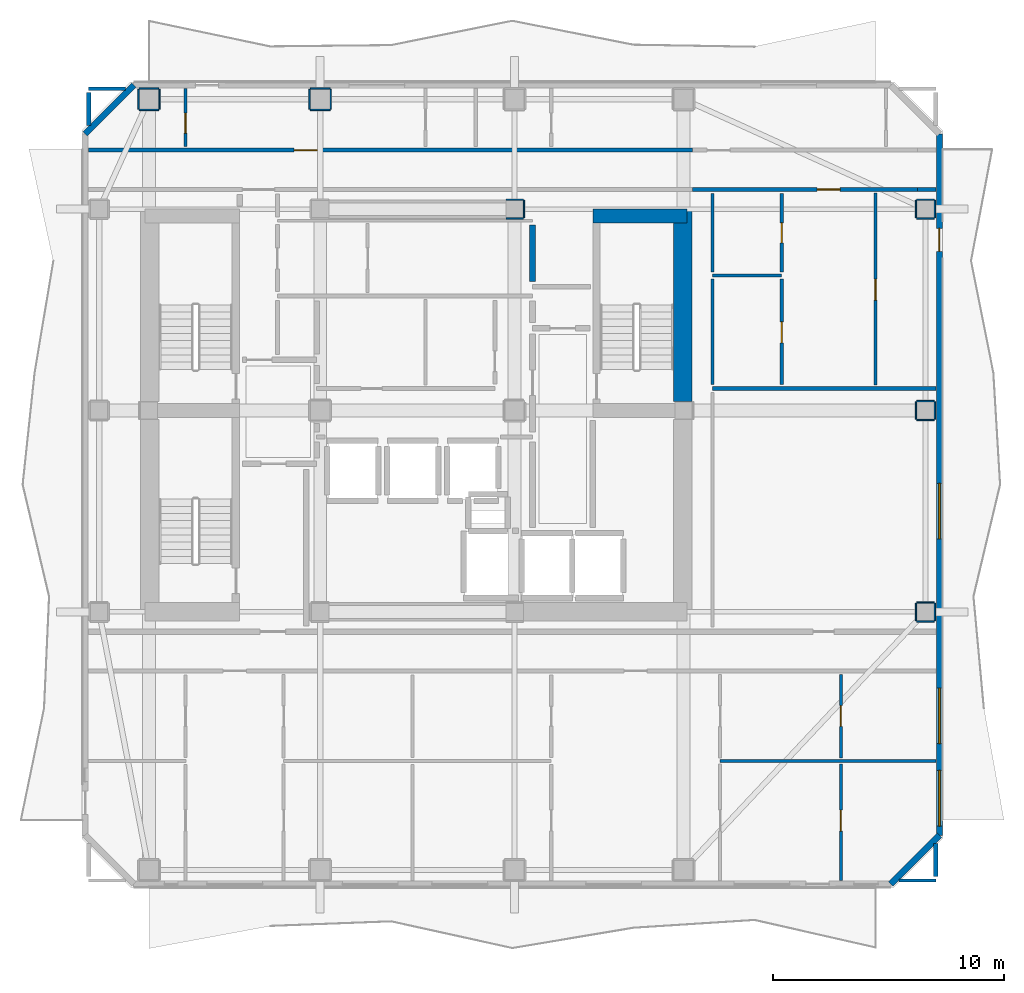
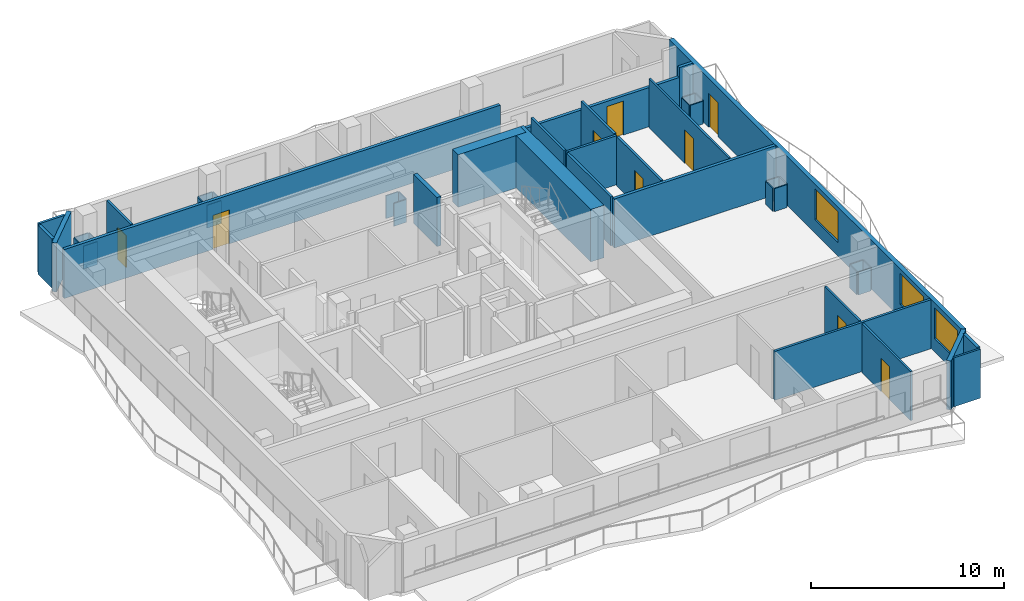
# One storey, part 5 of 9: 47 walls, 9 doors, 3 windows, 12 openings.
"""IFC4 building model written with IfcOpenShell, lengths in metres."""

from ifc_helpers import new_model, si_unit, direction, frame, frame_2d, origin, place, context, subcontext, project, spatial, rectangle, extrude, material, layer, layer_set, type_object, element, fill, save


model = new_model("IFC4")

# Units and contexts
model_context = context("Model", 3, precision=1e-05, world=origin(), true_north=direction((0.0, 1.0)))
body_context = subcontext(model_context, "Body", "Model", "MODEL_VIEW")
ifc_project = project(units=[si_unit("LENGTHUNIT", "METRE"), si_unit("AREAUNIT", "SQUARE_METRE"), si_unit("VOLUMEUNIT", "CUBIC_METRE"), si_unit("PLANEANGLEUNIT", "RADIAN"), si_unit("MASSUNIT", "GRAM", prefix="KILO")], contexts=[model_context])

# Site, building, storey
site_placement = place(None, origin())
site = spatial("IfcSite", under=ifc_project, at=site_placement, CompositionType="ELEMENT")
building_placement = place(site_placement, origin())
building = spatial("IfcBuilding", under=site, at=building_placement, Name="Solanera Arch Residences", CompositionType="ELEMENT")
storey_placement = place(building_placement, frame((0.0, 0.0, 216.719970703125)))
storey = spatial("IfcBuildingStorey", under=building, at=storey_placement, Name="L63", CompositionType="ELEMENT", Elevation=216.719970703125)

# Walls
ifc_material_1 = material(Name="Fire-Rated Gypsum Stud Partition", Category="gypsum")
ifc_layer_1 = layer(ifc_material_1, 0.06005859375)
ifc_layer_set_1 = layer_set([ifc_layer_1], Name="Fire-Rated Gypsum Stud Partition")
wall_type_1 = type_object("IfcWallType", Name="Column Acoustic Furring Wall 60", PredefinedType="PARTITIONING", material=ifc_layer_set_1)
for number, where, z_axis, x_axis, name in (
    (1, (28.8330078125, 38.992919921875, 0.0), (0.0, 0.0, 1.0), (1.0, 0.0, 0.0), "L63 Column Furring 4S"),
    (2, (28.8330078125, 39.806884765625, 0.0), (0.0, 0.0, 1.0), (1.0, 0.0, 0.0), "L63 Column Furring 4N"),
):
    element("IfcWall", number, at=place(storey_placement, frame(where, z_axis=z_axis, x_axis=x_axis)), inside=storey, type_object=wall_type_1, Name=name, PredefinedType="PARTITIONING", context=body_context, shape_type="SweptSolid", body=[
        extrude(rectangle(XDim=0.741943359375, YDim=0.06005859375, at=frame_2d((0.37109375, 0.0))), origin(), (0.0, 0.0, 1.0), 1.449951171875),
    ])
wall_1_placement = place(storey_placement, frame((29.60693359375, 39.02490234375, 0.0), z_axis=(0.0, 0.0, 1.0), x_axis=(0.0, 1.0, 0.0)))
element("IfcWall", 3, at=wall_1_placement, inside=storey, type_object=wall_type_1, Name="L63 Column Furring 4E", PredefinedType="PARTITIONING", context=body_context, shape_type="SweptSolid", body=[
    extrude(rectangle(XDim=0.75, YDim=0.06005859375, at=frame_2d((0.375, 0.0))), origin(), (0.0, 0.0, 1.0), 1.449951171875),
])
for number, where, z_axis, x_axis, name in (
    (4, (12.97509765625, 43.693115234375, 0.0), (0.0, 0.0, 1.0), (1.0, 0.0, 0.0), "L63 Column Furring 10S"),
    (5, (12.97509765625, 44.60693359375, 0.0), (0.0, 0.0, 1.0), (1.0, 0.0, 0.0), "L63 Column Furring 10N"),
    (6, (12.943115234375, 43.72509765625, 0.0), (0.0, 0.0, 1.0), (0.0, 1.0, 0.0), "L63 Column Furring 10W"),
    (7, (13.85693359375, 43.72509765625, 0.0), (0.0, 0.0, 1.0), (0.0, 1.0, 0.0), "L63 Column Furring 10E"),
):
    element("IfcWall", number, at=place(storey_placement, frame(where, z_axis=z_axis, x_axis=x_axis)), inside=storey, type_object=wall_type_1, Name=name, PredefinedType="PARTITIONING", context=body_context, shape_type="SweptSolid", body=[
        extrude(rectangle(XDim=0.849853515625, YDim=0.06005859375, at=frame_2d((0.4248046875, 0.0))), origin(), (0.0, 0.0, 1.0), 1.449951171875),
    ])
for number, where, z_axis, x_axis, name in (
    (8, (20.375, 43.693115234375, 0.0), (0.0, 0.0, 1.0), (1.0, 0.0, 0.0), "L63 Column Furring 12S"),
    (9, (20.375, 44.60693359375, 0.0), (0.0, 0.0, 1.0), (1.0, 0.0, 0.0), "L63 Column Furring 12N"),
):
    element("IfcWall", number, at=place(storey_placement, frame(where, z_axis=z_axis, x_axis=x_axis)), inside=storey, type_object=wall_type_1, Name=name, PredefinedType="PARTITIONING", context=body_context, shape_type="SweptSolid", body=[
        extrude(rectangle(XDim=0.85009765625, YDim=0.06005859375, at=frame_2d((0.425048828125, 0.0))), origin(), (0.0, 0.0, 1.0), 1.449951171875),
    ])
for number, where, z_axis, x_axis, name in (
    (10, (20.343017578125, 43.72509765625, 0.0), (0.0, 0.0, 1.0), (0.0, 1.0, 0.0), "L63 Column Furring 12W"),
    (11, (21.257080078125, 43.72509765625, 0.0), (0.0, 0.0, 1.0), (0.0, 1.0, 0.0), "L63 Column Furring 12E"),
):
    element("IfcWall", number, at=place(storey_placement, frame(where, z_axis=z_axis, x_axis=x_axis)), inside=storey, type_object=wall_type_1, Name=name, PredefinedType="PARTITIONING", context=body_context, shape_type="SweptSolid", body=[
        extrude(rectangle(XDim=0.849853515625, YDim=0.06005859375, at=frame_2d((0.4248046875, 0.0))), origin(), (0.0, 0.0, 1.0), 1.449951171875),
    ])
for number, where, z_axis, x_axis, name in (
    (12, (46.574951171875, 21.593017578125, 0.0), (0.0, 0.0, 1.0), (1.0, 0.0, 0.0), "L63 Column Furring 18S"),
    (13, (46.574951171875, 22.406982421875, 0.0), (0.0, 0.0, 1.0), (1.0, 0.0, 0.0), "L63 Column Furring 18N"),
    (14, (46.54296875, 21.625, 0.0), (0.0, 0.0, 1.0), (0.0, 1.0, 0.0), "L63 Column Furring 18W"),
    (15, (47.35693359375, 21.625, 0.0), (0.0, 0.0, 1.0), (0.0, 1.0, 0.0), "L63 Column Furring 18E"),
    (16, (46.574951171875, 30.29296875, 0.0), (0.0, 0.0, 1.0), (1.0, 0.0, 0.0), "L63 Column Furring 20S"),
    (17, (46.574951171875, 31.10693359375, 0.0), (0.0, 0.0, 1.0), (1.0, 0.0, 0.0), "L63 Column Furring 20N"),
    (18, (46.54296875, 30.324951171875, 0.0), (0.0, 0.0, 1.0), (0.0, 1.0, 0.0), "L63 Column Furring 20W"),
    (19, (47.35693359375, 30.324951171875, 0.0), (0.0, 0.0, 1.0), (0.0, 1.0, 0.0), "L63 Column Furring 20E"),
    (20, (46.574951171875, 38.992919921875, 0.0), (0.0, 0.0, 1.0), (1.0, 0.0, 0.0), "L63 Column Furring 22S"),
    (21, (46.574951171875, 39.806884765625, 0.0), (0.0, 0.0, 1.0), (1.0, 0.0, 0.0), "L63 Column Furring 22N"),
    (22, (46.54296875, 39.02490234375, 0.0), (0.0, 0.0, 1.0), (0.0, 1.0, 0.0), "L63 Column Furring 22W"),
    (23, (47.35693359375, 39.02490234375, 0.0), (0.0, 0.0, 1.0), (0.0, 1.0, 0.0), "L63 Column Furring 22E"),
):
    element("IfcWall", number, at=place(storey_placement, frame(where, z_axis=z_axis, x_axis=x_axis)), inside=storey, type_object=wall_type_1, Name=name, PredefinedType="PARTITIONING", context=body_context, shape_type="SweptSolid", body=[
        extrude(rectangle(XDim=0.75, YDim=0.06005859375, at=frame_2d((0.375, 0.0))), origin(), (0.0, 0.0, 1.0), 1.449951171875),
    ])
ifc_material_2 = material(Name="Concrete C40/50 (f'c = 45 MPa)", Category="concrete")
ifc_layer_2 = layer(ifc_material_2, 0.60009765625)
ifc_layer_set_2 = layer_set([ifc_layer_2], Name="Concrete C40/50 (f'c = 45 MPa)")
wall_type_2 = type_object("IfcWallType", Name="Core Shear Wall CW-600", PredefinedType="SHEAR", material=ifc_layer_set_2)
wall_2_placement = place(storey_placement, frame((32.580078125, 39.10009765625, 0.0), z_axis=(0.0, 0.0, 1.0), x_axis=(1.0, 0.0, 0.0)))
element("IfcWall", 24, at=wall_2_placement, inside=storey, type_object=wall_type_2, Name="L63 North-East Core Shear Wall", PredefinedType="SHEAR", context=body_context, shape_type="SweptSolid", body=[
    extrude(rectangle(XDim=4.079833984375, YDim=0.60009765625, at=frame_2d((2.0400390625, 0.0))), origin(), (0.0, 0.0, 1.0), 3.320068359375),
])
ifc_material_3 = material(Name="Concrete C40/50 (f'c = 45 MPa)", Category="concrete")
ifc_layer_3 = layer(ifc_material_3, 0.800048828125)
ifc_layer_set_3 = layer_set([ifc_layer_3], Name="Concrete C40/50 (f'c = 45 MPa)")
wall_type_3 = type_object("IfcWallType", Name="Core Shear Wall CW-800", PredefinedType="SHEAR", material=ifc_layer_set_3)
wall_3_placement = place(storey_placement, frame((36.4599609375, 31.080078125, 0.0), z_axis=(0.0, 0.0, 1.0), x_axis=(0.0, 1.0, 0.0)))
element("IfcWall", 25, at=wall_3_placement, inside=storey, type_object=wall_type_3, Name="L63 East Core North Shear Wall", PredefinedType="SHEAR", context=body_context, shape_type="SweptSolid", body=[
    extrude(rectangle(XDim=8.31982421875, YDim=0.800048828125, at=frame_2d((4.159912109375, 0.0))), origin(), (0.0, 0.0, 1.0), 3.320068359375),
])
ifc_material_4 = material(Name="Autoclaved Aerated Concrete Blockwork", Category="masonry")
ifc_layer_4 = layer(ifc_material_4, 0.179931640625)
ifc_layer_set_4 = layer_set([ifc_layer_4], Name="Autoclaved Aerated Concrete Blockwork")
wall_type_4 = type_object("IfcWallType", Name="Corridor Fire Partition 180", PredefinedType="PARTITIONING", material=ifc_layer_set_4)
wall_4_placement = place(storey_placement, frame((37.75, 31.64990234375, 0.0), z_axis=(0.0, 0.0, 1.0), x_axis=(1.0, 0.0, 0.0)))
element("IfcWall", 26, at=wall_4_placement, inside=storey, type_object=wall_type_4, Name="L63 Interior Partition H9", PredefinedType="PARTITIONING", context=body_context, shape_type="SweptSolid", body=[
    extrude(rectangle(XDim=9.6630859375, YDim=0.179931640625, at=frame_2d((4.83154296875, 0.0))), origin(), (0.0, 0.0, 1.0), 3.10009765625),
])

# Wall, opening, door
wall_5_placement = place(storey_placement, frame((36.888916015625, 40.25, 0.0), z_axis=(0.0, 0.0, 1.0), x_axis=(1.0, 0.0, 0.0)))
wall_5 = element("IfcWall", 27, at=wall_5_placement, inside=storey, type_object=wall_type_4, Name="L63 Interior Partition H12 2", PredefinedType="PARTITIONING", context=body_context, shape_type="SweptSolid", body=[
    extrude(rectangle(XDim=9.72216796875, YDim=0.179931640625, at=frame_2d((4.861083984375, 0.0))), origin(), (0.0, 0.0, 1.0), 2.47705078125),
])
opening_1_placement = place(wall_5_placement, frame((5.3798828125, 0.0, 0.0)))
opening_1 = element("IfcOpeningElement", 28, at=opening_1_placement, cuts=wall_5, Name="Opening DI-01", PredefinedType="OPENING", context=body_context, shape_type="SweptSolid", body=[
    extrude(rectangle(XDim=1.0, YDim=2.14990234375, at=frame_2d((0.5, 1.074951171875))), frame((0.0, 0.10009765625, 0.0), z_axis=(0.0, -1.0, 0.0), x_axis=(1.0, 0.0, 0.0)), (0.0, 0.0, 1.0), 0.1999),
])
ifc_material_5 = material(Name="Fire-Rated Architectural Hardwood", Category="wood")
door_type_1 = type_object("IfcDoorType", Name="Unit Entrance Fire Door DI-01", OperationType="NOTDEFINED", PredefinedType="DOOR", material=ifc_material_5)
door_1_placement = place(opening_1_placement, origin())
door_1 = element("IfcDoor", 29, at=door_1_placement, inside=storey, type_object=door_type_1, Name="DR-L63-IN-033", OperationType="SINGLE_SWING_RIGHT", OverallHeight=2.14990234375, OverallWidth=1.0, PredefinedType="DOOR", context=body_context, shape_type="SweptSolid", body=[
    extrude(rectangle(XDim=1.0, YDim=2.14990234375, at=frame_2d((0.5, 1.074951171875))), frame((0.0, 0.02490234375, 0.0), z_axis=(0.0, -1.0, 0.0), x_axis=(1.0, 0.0, 0.0)), (0.0, 0.0, 1.0), 0.050048828125),
])
fill(opening_1, door_1)

# Wall
wall_6_placement = place(storey_placement, frame((46.611083984375, 40.25, 0.0), z_axis=(0.0, 0.0, 1.0), x_axis=(1.0, 0.0, 0.0)))
element("IfcWall", 30, at=wall_6_placement, inside=storey, type_object=wall_type_4, Name="L63 Interior Partition H12 3", PredefinedType="PARTITIONING", context=body_context, shape_type="SweptSolid", body=[
    extrude(rectangle(XDim=0.802001953125, YDim=0.179931640625, at=frame_2d((0.40087890625, 0.0))), origin(), (0.0, 0.0, 1.0), 3.10009765625),
])

# Wall, opening, door
wall_7_placement = place(storey_placement, frame((10.787109375, 41.949951171875, 0.0), z_axis=(0.0, 0.0, 1.0), x_axis=(1.0, 0.0, 0.0)))
wall_7 = element("IfcWall", 31, at=wall_7_placement, inside=storey, type_object=wall_type_4, Name="L63 Interior Partition H13 1", PredefinedType="PARTITIONING", context=body_context, shape_type="SweptSolid", body=[
    extrude(rectangle(XDim=26.101806640625, YDim=0.179931640625, at=frame_2d((13.05078125, 0.0))), origin(), (0.0, 0.0, 1.0), 3.10009765625),
])
opening_2_placement = place(wall_7_placement, frame((8.887939453125, 0.0, 0.0)))
opening_2 = element("IfcOpeningElement", 32, at=opening_2_placement, cuts=wall_7, Name="Opening DI-01", PredefinedType="OPENING", context=body_context, shape_type="SweptSolid", body=[
    extrude(rectangle(XDim=1.0, YDim=2.14990234375, at=frame_2d((0.5, 1.074951171875))), frame((0.0, 0.10009765625, 0.0), z_axis=(0.0, -1.0, 0.0), x_axis=(1.0, 0.0, 0.0)), (0.0, 0.0, 1.0), 0.1999),
])
door_2_placement = place(opening_2_placement, origin())
door_2 = element("IfcDoor", 33, at=door_2_placement, inside=storey, type_object=door_type_1, Name="DR-L63-IN-026", OperationType="SINGLE_SWING_LEFT", OverallHeight=2.14990234375, OverallWidth=1.0, PredefinedType="DOOR", context=body_context, shape_type="SweptSolid", body=[
    extrude(rectangle(XDim=1.0, YDim=2.14990234375, at=frame_2d((0.5, 1.074951171875))), frame((0.0, 0.02490234375, 0.0), z_axis=(0.0, -1.0, 0.0), x_axis=(1.0, 0.0, 0.0)), (0.0, 0.0, 1.0), 0.050048828125),
])
fill(opening_2, door_2)

# Walls
wall_8_placement = place(storey_placement, frame((10.800048828125, 43.010986328125, 0.0), z_axis=(0.0, 0.0, 1.0), x_axis=(0.0, 1.0, 0.0)))
element("IfcWall", 34, at=wall_8_placement, inside=storey, type_object=wall_type_4, Name="L63 Interior Partition V7", PredefinedType="PARTITIONING", context=body_context, shape_type="SweptSolid", body=[
    extrude(rectangle(XDim=1.4208984375, YDim=0.179931640625, at=frame_2d((0.71044921875, 0.0))), origin(), (0.0, 0.0, 1.0), 3.10009765625),
])
wall_9_placement = place(storey_placement, frame((47.39990234375, 10.55810546875, 0.0), z_axis=(0.0, 0.0, 1.0), x_axis=(0.0, 1.0, 0.0)))
element("IfcWall", 35, at=wall_9_placement, inside=storey, type_object=wall_type_4, Name="L63 Interior Partition V10 1", PredefinedType="PARTITIONING", context=body_context, shape_type="SweptSolid", body=[
    extrude(rectangle(XDim=1.430908203125, YDim=0.179931640625, at=frame_2d((0.71533203125, 0.0))), origin(), (0.0, 0.0, 1.0), 3.10009765625),
])
ifc_material_6 = material(Name="Precast Concrete C35/45", Category="concrete")
ifc_layer_5 = layer(ifc_material_6, 0.260009765625)
ifc_layer_set_5 = layer_set([ifc_layer_5], Name="Precast Concrete C35/45")
wall_type_5 = type_object("IfcWallType", Name="Exterior Wall Precast Masonry-Frame 260", PredefinedType="STANDARD", material=ifc_layer_set_5)
wall_10_placement = place(storey_placement, frame((10.64501953125, 42.655029296875, 0.0), z_axis=(0.0, 0.0, 1.0), x_axis=(0.707147883682, 0.707065676302, 0.0)))
element("IfcWall", 36, at=wall_10_placement, inside=storey, type_object=wall_type_5, Name="L63 Tower Exterior Precast Masonry-Frame Wall CH1", PredefinedType="STANDARD", context=body_context, shape_type="SweptSolid", body=[
    extrude(rectangle(XDim=2.9697265625, YDim=0.260009765625, at=frame_2d((1.48486328125, 0.0))), origin(), (0.0, 0.0, 1.0), 3.10009765625),
])

# Wall, openings, door, windows
wall_11_placement = place(storey_placement, frame((47.554931640625, 42.655029296875, 0.0), z_axis=(0.0, 0.0, 1.0), x_axis=(0.0, -1.0, 0.0)))
wall_11 = element("IfcWall", 37, at=wall_11_placement, inside=storey, type_object=wall_type_5, Name="L63 Tower Exterior Precast Masonry-Frame Wall E", PredefinedType="STANDARD", context=body_context, shape_type="SweptSolid", body=[
    extrude(rectangle(XDim=30.31005859375, YDim=0.260009765625, at=frame_2d((15.155029296875, 0.0))), origin(), (0.0, 0.0, 1.0), 3.10009765625),
])
opening_3_placement = place(wall_11_placement, frame((4.08203125, 0.0, 0.0)))
opening_3 = element("IfcOpeningElement", 38, at=opening_3_placement, cuts=wall_11, Name="Opening DB-01", PredefinedType="OPENING", context=body_context, shape_type="SweptSolid", body=[
    extrude(rectangle(XDim=1.0, YDim=2.14990234375, at=frame_2d((0.5, 1.074951171875))), frame((0.0, 0.139892578125, 0.0), z_axis=(0.0, -1.0, 0.0), x_axis=(1.0, 0.0, 0.0)), (0.0, 0.0, 1.0), 0.28),
])
opening_4_placement = place(wall_11_placement, frame((23.950927734375, 0.0, 0.85009765625)))
opening_4 = element("IfcOpeningElement", 39, at=opening_4_placement, cuts=wall_11, Name="Opening W-05", PredefinedType="OPENING", context=body_context, shape_type="SweptSolid", body=[
    extrude(rectangle(XDim=2.39990234375, YDim=1.949951171875, at=frame_2d((1.199951171875, 0.97509765625))), frame((0.0, 0.139892578125, 0.0), z_axis=(0.0, -1.0, 0.0), x_axis=(1.0, 0.0, 0.0)), (0.0, 0.0, 1.0), 0.28),
])
opening_5_placement = place(wall_11_placement, frame((27.508056640625, 0.0, 0.85009765625)))
opening_5 = element("IfcOpeningElement", 40, at=opening_5_placement, cuts=wall_11, Name="Opening W-05", PredefinedType="OPENING", context=body_context, shape_type="SweptSolid", body=[
    extrude(rectangle(XDim=2.39990234375, YDim=1.949951171875, at=frame_2d((1.199951171875, 0.97509765625))), frame((0.0, 0.139892578125, 0.0), z_axis=(0.0, -1.0, 0.0), x_axis=(1.0, 0.0, 0.0)), (0.0, 0.0, 1.0), 0.28),
])
opening_6_placement = place(wall_11_placement, frame((15.10498046875, 0.0, 0.85009765625)))
opening_6 = element("IfcOpeningElement", 41, at=opening_6_placement, cuts=wall_11, Name="Opening W-05", PredefinedType="OPENING", context=body_context, shape_type="SweptSolid", body=[
    extrude(rectangle(XDim=2.39990234375, YDim=1.949951171875, at=frame_2d((1.199951171875, 0.97509765625))), frame((0.0, 0.139892578125, 0.0), z_axis=(0.0, -1.0, 0.0), x_axis=(1.0, 0.0, 0.0)), (0.0, 0.0, 1.0), 0.28),
])
ifc_material_7 = material(Name="Anodised Aluminium Alloy 6063-T6", Category="aluminium")
door_type_2 = type_object("IfcDoorType", Name="Glazed Balcony Swing Door DB-01", OperationType="NOTDEFINED", PredefinedType="DOOR", material=ifc_material_7)
door_3_placement = place(opening_3_placement, origin())
door_3 = element("IfcDoor", 42, at=door_3_placement, inside=storey, type_object=door_type_2, Name="DR-L63-OUT-03", OperationType="SINGLE_SWING_LEFT", OverallHeight=2.14990234375, OverallWidth=1.0, PredefinedType="DOOR", context=body_context, shape_type="SweptSolid", body=[
    extrude(rectangle(XDim=1.0, YDim=2.14990234375, at=frame_2d((0.5, 1.074951171875))), frame((0.0, 0.02490234375, 0.0), z_axis=(0.0, -1.0, 0.0), x_axis=(1.0, 0.0, 0.0)), (0.0, 0.0, 1.0), 0.050048828125),
])
fill(opening_3, door_3)
ifc_material_8 = material(Name="Double Glazed Low-E Laminated Glass", Category="glass")
window_type = type_object("IfcWindowType", Name="Punched Window W-05", PartitioningType="TRIPLE_PANEL_VERTICAL", PredefinedType="WINDOW", material=ifc_material_8)
window_1_placement = place(opening_4_placement, origin())
window_1 = element("IfcWindow", 43, at=window_1_placement, inside=storey, type_object=window_type, Name="L63 6302-STD Punched Window", OverallHeight=1.949951171875, OverallWidth=2.39990234375, PartitioningType="SINGLE_PANEL", PredefinedType="WINDOW", context=body_context, shape_type="SweptSolid", body=[
    extrude(rectangle(XDim=2.39990234375, YDim=1.949951171875, at=frame_2d((1.199951171875, 0.97509765625))), frame((0.0, 0.030029296875, 0.0), z_axis=(0.0, -1.0, 0.0), x_axis=(1.0, 0.0, 0.0)), (0.0, 0.0, 1.0), 0.06005859375),
])
fill(opening_4, window_1)
window_2_placement = place(opening_5_placement, origin())
window_2 = element("IfcWindow", 44, at=window_2_placement, inside=storey, type_object=window_type, Name="L63 6302-BR3 Punched Window", OverallHeight=1.949951171875, OverallWidth=2.39990234375, PartitioningType="SINGLE_PANEL", PredefinedType="WINDOW", context=body_context, shape_type="SweptSolid", body=[
    extrude(rectangle(XDim=2.39990234375, YDim=1.949951171875, at=frame_2d((1.199951171875, 0.97509765625))), frame((0.0, 0.030029296875, 0.0), z_axis=(0.0, -1.0, 0.0), x_axis=(1.0, 0.0, 0.0)), (0.0, 0.0, 1.0), 0.06005859375),
])
fill(opening_5, window_2)
window_3_placement = place(opening_6_placement, origin())
window_3 = element("IfcWindow", 45, at=window_3_placement, inside=storey, type_object=window_type, Name="L63 AMN-STDE Punched Window", OverallHeight=1.949951171875, OverallWidth=2.39990234375, PartitioningType="SINGLE_PANEL", PredefinedType="WINDOW", context=body_context, shape_type="SweptSolid", body=[
    extrude(rectangle(XDim=2.39990234375, YDim=1.949951171875, at=frame_2d((1.199951171875, 0.97509765625))), frame((0.0, 0.030029296875, 0.0), z_axis=(0.0, -1.0, 0.0), x_axis=(1.0, 0.0, 0.0)), (0.0, 0.0, 1.0), 0.06005859375),
])
fill(opening_6, window_3)

# Walls
wall_12_placement = place(storey_placement, frame((47.554931640625, 12.344970703125, 0.0), z_axis=(0.0, 0.0, 1.0), x_axis=(-0.707106781187, -0.707106781187, 0.0)))
element("IfcWall", 46, at=wall_12_placement, inside=storey, type_object=wall_type_5, Name="L63 Tower Exterior Precast Masonry-Frame Wall CH5", PredefinedType="STANDARD", context=body_context, shape_type="SweptSolid", body=[
    extrude(rectangle(XDim=2.9697265625, YDim=0.260009765625, at=frame_2d((1.48486328125, 0.0))), origin(), (0.0, 0.0, 1.0), 3.10009765625),
])
ifc_material_9 = material(Name="Autoclaved Aerated Concrete Blockwork", Category="masonry")
ifc_layer_6 = layer(ifc_material_9, 0.239990234375)
ifc_layer_set_6 = layer_set([ifc_layer_6], Name="Autoclaved Aerated Concrete Blockwork")
wall_type_6 = type_object("IfcWallType", Name="Shaft Wall Fire-Rated 240", PredefinedType="PARTITIONING", material=ifc_layer_set_6)
wall_13_placement = place(storey_placement, frame((29.97509765625, 36.26806640625, 0.0), z_axis=(0.0, 0.0, 1.0), x_axis=(0.0, 1.0, 0.0)))
element("IfcWall", 47, at=wall_13_placement, inside=storey, type_object=wall_type_6, Name="L63 Interior Partition V4 4", PredefinedType="PARTITIONING", context=body_context, shape_type="SweptSolid", body=[
    extrude(rectangle(XDim=2.44384765625, YDim=0.239990234375, at=frame_2d((1.221923828125, 0.0))), origin(), (0.0, 0.0, 1.0), 3.10009765625),
])
ifc_material_10 = material(Name="Fire-Rated Gypsum Stud Partition", Category="gypsum")
ifc_layer_7 = layer(ifc_material_10, 0.1201171875)
ifc_layer_set_7 = layer_set([ifc_layer_7], Name="Fire-Rated Gypsum Stud Partition")
wall_type_7 = type_object("IfcWallType", Name="Unit Drywall Partition 120", PredefinedType="PARTITIONING", material=ifc_layer_set_7)
wall_14_placement = place(storey_placement, frame((45.81103515625, 10.39990234375, 0.0), z_axis=(0.0, 0.0, 1.0), x_axis=(1.0, 0.0, 0.0)))
element("IfcWall", 48, at=wall_14_placement, inside=storey, type_object=wall_type_7, Name="L63 Interior Partition H19 2", PredefinedType="PARTITIONING", context=body_context, shape_type="SweptSolid", body=[
    extrude(rectangle(XDim=1.5888671875, YDim=0.1201171875, at=frame_2d((0.79443359375, 0.0))), origin(), (0.0, 0.0, 1.0), 3.10009765625),
])

# Wall, opening, door
wall_15_placement = place(storey_placement, frame((43.299072265625, 10.386962890625, 0.0), z_axis=(0.0, 0.0, 1.0), x_axis=(0.0, 1.0, 0.0)))
wall_15 = element("IfcWall", 49, at=wall_15_placement, inside=storey, type_object=wall_type_7, Name="L63 Interior Partition V24 1", PredefinedType="PARTITIONING", context=body_context, shape_type="SweptSolid", body=[
    extrude(rectangle(XDim=5.033935546875, YDim=0.1201171875, at=frame_2d((2.51708984375, 0.0))), origin(), (0.0, 0.0, 1.0), 3.10009765625),
])
opening_7_placement = place(wall_15_placement, frame((2.14306640625, 0.0, 0.0)))
opening_7 = element("IfcOpeningElement", 50, at=opening_7_placement, cuts=wall_15, Name="Opening DI-03", PredefinedType="OPENING", context=body_context, shape_type="SweptSolid", body=[
    extrude(rectangle(XDim=0.89990234375, YDim=2.10009765625, at=frame_2d((0.449951171875, 1.050048828125))), frame((0.0, 0.070068359375, 0.0), z_axis=(0.0, -1.0, 0.0), x_axis=(1.0, 0.0, 0.0)), (0.0, 0.0, 1.0), 0.1401),
])
ifc_material_11 = material(Name="Fire-Rated Architectural Hardwood", Category="wood")
door_type_3 = type_object("IfcDoorType", Name="Bedroom Swing Door DI-03", OperationType="NOTDEFINED", PredefinedType="DOOR", material=ifc_material_11)
door_4_placement = place(opening_7_placement, origin())
door_4 = element("IfcDoor", 51, at=door_4_placement, inside=storey, type_object=door_type_3, Name="DR-L63-IN-025", OperationType="SINGLE_SWING_RIGHT", OverallHeight=2.10009765625, OverallWidth=0.89990234375, PredefinedType="DOOR", context=body_context, shape_type="SweptSolid", body=[
    extrude(rectangle(XDim=0.89990234375, YDim=2.10009765625, at=frame_2d((0.449951171875, 1.050048828125))), frame((0.0, 0.02490234375, 0.0), z_axis=(0.0, -1.0, 0.0), x_axis=(1.0, 0.0, 0.0)), (0.0, 0.0, 1.0), 0.050048828125),
])
fill(opening_7, door_4)

wall_16_placement = place(storey_placement, frame((43.299072265625, 15.697021484375, 0.0), z_axis=(0.0, 0.0, 1.0), x_axis=(0.0, 1.0, 0.0)))
wall_16 = element("IfcWall", 52, at=wall_16_placement, inside=storey, type_object=wall_type_7, Name="L63 Interior Partition V24 2", PredefinedType="PARTITIONING", context=body_context, shape_type="SweptSolid", body=[
    extrude(rectangle(XDim=3.594970703125, YDim=0.1201171875, at=frame_2d((1.79736328125, 0.0))), origin(), (0.0, 0.0, 1.0), 3.10009765625),
])
opening_8_placement = place(wall_16_placement, frame((1.35791015625, 0.0, 0.0)))
opening_8 = element("IfcOpeningElement", 53, at=opening_8_placement, cuts=wall_16, Name="Opening DI-02", PredefinedType="OPENING", context=body_context, shape_type="SweptSolid", body=[
    extrude(rectangle(XDim=0.89990234375, YDim=2.10009765625, at=frame_2d((0.449951171875, 1.050048828125))), frame((0.0, 0.070068359375, 0.0), z_axis=(0.0, -1.0, 0.0), x_axis=(1.0, 0.0, 0.0)), (0.0, 0.0, 1.0), 0.1401),
])
ifc_material_12 = material(Name="Fire-Rated Architectural Hardwood", Category="wood")
door_type_4 = type_object("IfcDoorType", Name="Suite Room Swing Door DI-02", OperationType="NOTDEFINED", PredefinedType="DOOR", material=ifc_material_12)
door_5_placement = place(opening_8_placement, origin())
door_5 = element("IfcDoor", 54, at=door_5_placement, inside=storey, type_object=door_type_4, Name="DR-L63-IN-023", OperationType="SINGLE_SWING_RIGHT", OverallHeight=2.10009765625, OverallWidth=0.89990234375, PredefinedType="DOOR", context=body_context, shape_type="SweptSolid", body=[
    extrude(rectangle(XDim=0.89990234375, YDim=2.10009765625, at=frame_2d((0.449951171875, 1.050048828125))), frame((0.0, 0.02490234375, 0.0), z_axis=(0.0, -1.0, 0.0), x_axis=(1.0, 0.0, 0.0)), (0.0, 0.0, 1.0), 0.050048828125),
])
fill(opening_8, door_5)

wall_17_placement = place(storey_placement, frame((44.794921875, 31.80810546875, 0.0), z_axis=(0.0, 0.0, 1.0), x_axis=(0.0, 1.0, 0.0)))
wall_17 = element("IfcWall", 55, at=wall_17_placement, inside=storey, type_object=wall_type_7, Name="L63 Interior Partition V25", PredefinedType="PARTITIONING", context=body_context, shape_type="SweptSolid", body=[
    extrude(rectangle(XDim=8.283935546875, YDim=0.1201171875, at=frame_2d((4.14208984375, 0.0))), origin(), (0.0, 0.0, 1.0), 3.10009765625),
])
opening_9_placement = place(wall_17_placement, frame((3.6669921875, 0.0, 0.0)))
opening_9 = element("IfcOpeningElement", 56, at=opening_9_placement, cuts=wall_17, Name="Opening DI-02", PredefinedType="OPENING", context=body_context, shape_type="SweptSolid", body=[
    extrude(rectangle(XDim=0.89990234375, YDim=2.10009765625, at=frame_2d((0.449951171875, 1.050048828125))), frame((0.0, 0.070068359375, 0.0), z_axis=(0.0, -1.0, 0.0), x_axis=(1.0, 0.0, 0.0)), (0.0, 0.0, 1.0), 0.1401),
])
door_6_placement = place(opening_9_placement, origin())
door_6 = element("IfcDoor", 57, at=door_6_placement, inside=storey, type_object=door_type_4, Name="DR-L63-IN-036", OperationType="SINGLE_SWING_LEFT", OverallHeight=2.10009765625, OverallWidth=0.89990234375, PredefinedType="DOOR", context=body_context, shape_type="SweptSolid", body=[
    extrude(rectangle(XDim=0.89990234375, YDim=2.10009765625, at=frame_2d((0.449951171875, 1.050048828125))), frame((0.0, 0.02490234375, 0.0), z_axis=(0.0, -1.0, 0.0), x_axis=(1.0, 0.0, 0.0)), (0.0, 0.0, 1.0), 0.050048828125),
])
fill(opening_9, door_6)

# Walls
ifc_material_13 = material(Name="Autoclaved Aerated Concrete Blockwork", Category="masonry")
ifc_layer_8 = layer(ifc_material_13, 0.139892578125)
ifc_layer_set_8 = layer_set([ifc_layer_8], Name="Autoclaved Aerated Concrete Blockwork")
wall_type_8 = type_object("IfcWallType", Name="Wet-Room Partition 140", PredefinedType="PARTITIONING", material=ifc_layer_set_8)
wall_18_placement = place(storey_placement, frame((38.080078125, 15.55908203125, 0.0), z_axis=(0.0, 0.0, 1.0), x_axis=(1.0, 0.0, 0.0)))
element("IfcWall", 58, at=wall_18_placement, inside=storey, type_object=wall_type_8, Name="L63 Interior Partition H16", PredefinedType="PARTITIONING", context=body_context, shape_type="SweptSolid", body=[
    extrude(rectangle(XDim=9.3330078125, YDim=0.139892578125, at=frame_2d((4.66650390625, 0.0))), origin(), (0.0, 0.0, 1.0), 3.10009765625),
])
wall_19_placement = place(storey_placement, frame((37.75, 36.531005859375, 0.0), z_axis=(0.0, 0.0, 1.0), x_axis=(1.0, 0.0, 0.0)))
element("IfcWall", 59, at=wall_19_placement, inside=storey, type_object=wall_type_8, Name="L63 Interior Partition H17", PredefinedType="PARTITIONING", context=body_context, shape_type="SweptSolid", body=[
    extrude(rectangle(XDim=2.991943359375, YDim=0.139892578125, at=frame_2d((1.49609375, 0.0))), origin(), (0.0, 0.0, 1.0), 3.10009765625),
])
wall_20_placement = place(storey_placement, frame((10.800048828125, 44.60009765625, 0.0), z_axis=(0.0, 0.0, 1.0), x_axis=(1.0, 0.0, 0.0)))
element("IfcWall", 60, at=wall_20_placement, inside=storey, type_object=wall_type_8, Name="L63 Interior Partition H18 1", PredefinedType="PARTITIONING", context=body_context, shape_type="SweptSolid", body=[
    extrude(rectangle(XDim=1.5888671875, YDim=0.139892578125, at=frame_2d((0.79443359375, 0.0))), origin(), (0.0, 0.0, 1.0), 3.10009765625),
])

# Wall, opening, door
wall_21_placement = place(storey_placement, frame((14.97998046875, 42.117919921875, 0.0), z_axis=(0.0, 0.0, 1.0), x_axis=(0.0, 1.0, 0.0)))
wall_21 = element("IfcWall", 61, at=wall_21_placement, inside=storey, type_object=wall_type_8, Name="L63 Interior Partition V12", PredefinedType="PARTITIONING", context=body_context, shape_type="SweptSolid", body=[
    extrude(rectangle(XDim=2.4951171875, YDim=0.139892578125, at=frame_2d((1.24755859375, 0.0))), origin(), (0.0, 0.0, 1.0), 3.10009765625),
])
opening_10_placement = place(wall_21_placement, frame((0.56689453125, 0.0, 0.0)))
opening_10 = element("IfcOpeningElement", 62, at=opening_10_placement, cuts=wall_21, Name="Opening DI-05", PredefinedType="OPENING", context=body_context, shape_type="SweptSolid", body=[
    extrude(rectangle(XDim=0.860107421875, YDim=2.02001953125, at=frame_2d((0.43017578125, 1.010009765625))), frame((0.0, 0.079833984375, 0.0), z_axis=(0.0, -1.0, 0.0), x_axis=(1.0, 0.0, 0.0)), (0.0, 0.0, 1.0), 0.1599),
])
ifc_material_14 = material(Name="Fire-Rated Architectural Hardwood", Category="wood")
door_type_5 = type_object("IfcDoorType", Name="Bathroom Swing Door DI-05", OperationType="NOTDEFINED", PredefinedType="DOOR", material=ifc_material_14)
door_7_placement = place(opening_10_placement, origin())
door_7 = element("IfcDoor", 63, at=door_7_placement, inside=storey, type_object=door_type_5, Name="DR-L63-IN-027", OperationType="SINGLE_SWING_RIGHT", OverallHeight=2.02001953125, OverallWidth=0.860107421875, PredefinedType="DOOR", context=body_context, shape_type="SweptSolid", body=[
    extrude(rectangle(XDim=0.860107421875, YDim=2.02001953125, at=frame_2d((0.43017578125, 1.010009765625))), frame((0.0, 0.02490234375, 0.0), z_axis=(0.0, -1.0, 0.0), x_axis=(1.0, 0.0, 0.0)), (0.0, 0.0, 1.0), 0.050048828125),
])
fill(opening_10, door_7)

# Walls
wall_22_placement = place(storey_placement, frame((37.75, 31.818115234375, 0.0), z_axis=(0.0, 0.0, 1.0), x_axis=(0.0, 1.0, 0.0)))
element("IfcWall", 64, at=wall_22_placement, inside=storey, type_object=wall_type_8, Name="L63 Interior Partition V17 2", PredefinedType="PARTITIONING", context=body_context, shape_type="SweptSolid", body=[
    extrude(rectangle(XDim=4.56494140625, YDim=0.139892578125, at=frame_2d((2.282470703125, 0.0))), origin(), (0.0, 0.0, 1.0), 3.10009765625),
])
wall_23_placement = place(storey_placement, frame((37.75, 36.678955078125, 0.0), z_axis=(0.0, 0.0, 1.0), x_axis=(0.0, 1.0, 0.0)))
element("IfcWall", 65, at=wall_23_placement, inside=storey, type_object=wall_type_8, Name="L63 Interior Partition V17 3", PredefinedType="PARTITIONING", context=body_context, shape_type="SweptSolid", body=[
    extrude(rectangle(XDim=3.403076171875, YDim=0.139892578125, at=frame_2d((1.70166015625, 0.0))), origin(), (0.0, 0.0, 1.0), 3.10009765625),
])

# Wall, opening, door
wall_24_placement = place(storey_placement, frame((40.741943359375, 31.818115234375, 0.0), z_axis=(0.0, 0.0, 1.0), x_axis=(0.0, 1.0, 0.0)))
wall_24 = element("IfcWall", 66, at=wall_24_placement, inside=storey, type_object=wall_type_8, Name="L63 Interior Partition V18 1", PredefinedType="PARTITIONING", context=body_context, shape_type="SweptSolid", body=[
    extrude(rectangle(XDim=4.56494140625, YDim=0.139892578125, at=frame_2d((2.282470703125, 0.0))), origin(), (0.0, 0.0, 1.0), 3.10009765625),
])
opening_11_placement = place(wall_24_placement, frame((1.81005859375, 0.0, 0.0)))
opening_11 = element("IfcOpeningElement", 67, at=opening_11_placement, cuts=wall_24, Name="Opening DI-03", PredefinedType="OPENING", context=body_context, shape_type="SweptSolid", body=[
    extrude(rectangle(XDim=0.89990234375, YDim=2.10009765625, at=frame_2d((0.449951171875, 1.050048828125))), frame((0.0, 0.079833984375, 0.0), z_axis=(0.0, -1.0, 0.0), x_axis=(1.0, 0.0, 0.0)), (0.0, 0.0, 1.0), 0.1599),
])
door_8_placement = place(opening_11_placement, origin())
door_8 = element("IfcDoor", 68, at=door_8_placement, inside=storey, type_object=door_type_3, Name="DR-L63-IN-035", OperationType="SINGLE_SWING_RIGHT", OverallHeight=2.10009765625, OverallWidth=0.89990234375, PredefinedType="DOOR", context=body_context, shape_type="SweptSolid", body=[
    extrude(rectangle(XDim=0.89990234375, YDim=2.10009765625, at=frame_2d((0.449951171875, 1.050048828125))), frame((0.0, 0.02490234375, 0.0), z_axis=(0.0, -1.0, 0.0), x_axis=(1.0, 0.0, 0.0)), (0.0, 0.0, 1.0), 0.050048828125),
])
fill(opening_11, door_8)

wall_25_placement = place(storey_placement, frame((40.741943359375, 36.678955078125, 0.0), z_axis=(0.0, 0.0, 1.0), x_axis=(0.0, 1.0, 0.0)))
wall_25 = element("IfcWall", 69, at=wall_25_placement, inside=storey, type_object=wall_type_8, Name="L63 Interior Partition V18 2", PredefinedType="PARTITIONING", context=body_context, shape_type="SweptSolid", body=[
    extrude(rectangle(XDim=3.403076171875, YDim=0.139892578125, at=frame_2d((1.70166015625, 0.0))), origin(), (0.0, 0.0, 1.0), 3.10009765625),
])
opening_12_placement = place(wall_25_placement, frame((1.26904296875, 0.0, 0.0)))
opening_12 = element("IfcOpeningElement", 70, at=opening_12_placement, cuts=wall_25, Name="Opening DI-05", PredefinedType="OPENING", context=body_context, shape_type="SweptSolid", body=[
    extrude(rectangle(XDim=0.860107421875, YDim=2.02001953125, at=frame_2d((0.43017578125, 1.010009765625))), frame((0.0, 0.079833984375, 0.0), z_axis=(0.0, -1.0, 0.0), x_axis=(1.0, 0.0, 0.0)), (0.0, 0.0, 1.0), 0.1599),
])
door_9_placement = place(opening_12_placement, origin())
door_9 = element("IfcDoor", 71, at=door_9_placement, inside=storey, type_object=door_type_5, Name="DR-L63-IN-034", OperationType="SINGLE_SWING_LEFT", OverallHeight=2.02001953125, OverallWidth=0.860107421875, PredefinedType="DOOR", context=body_context, shape_type="SweptSolid", body=[
    extrude(rectangle(XDim=0.860107421875, YDim=2.02001953125, at=frame_2d((0.43017578125, 1.010009765625))), frame((0.0, 0.02490234375, 0.0), z_axis=(0.0, -1.0, 0.0), x_axis=(1.0, 0.0, 0.0)), (0.0, 0.0, 1.0), 0.050048828125),
])
fill(opening_12, door_9)

save(model, "model.ifc")
